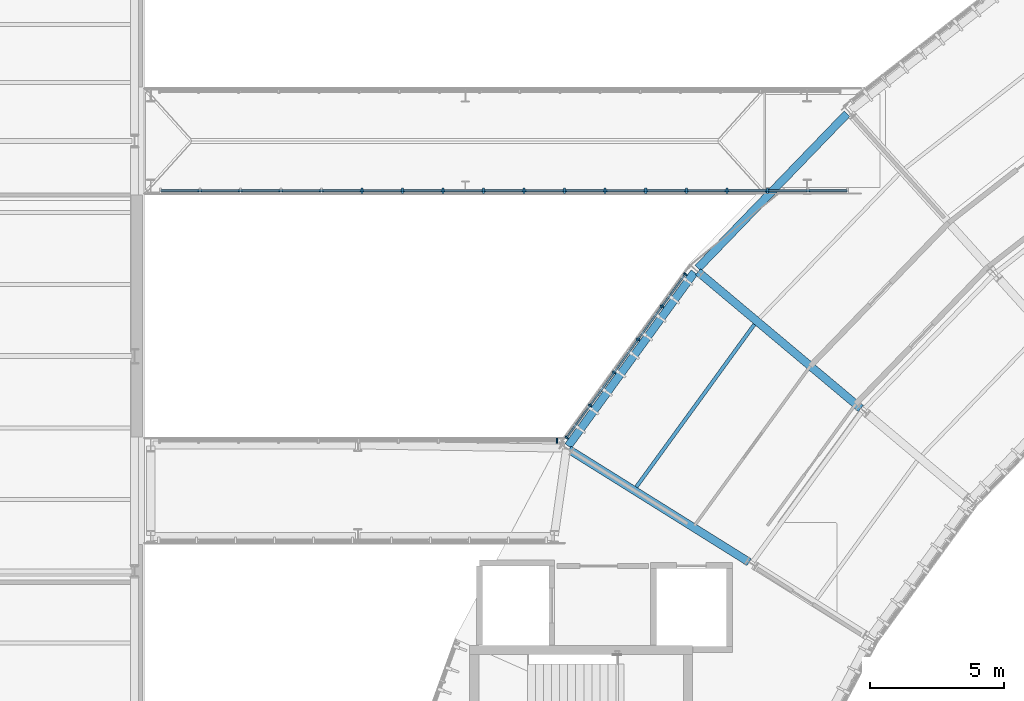
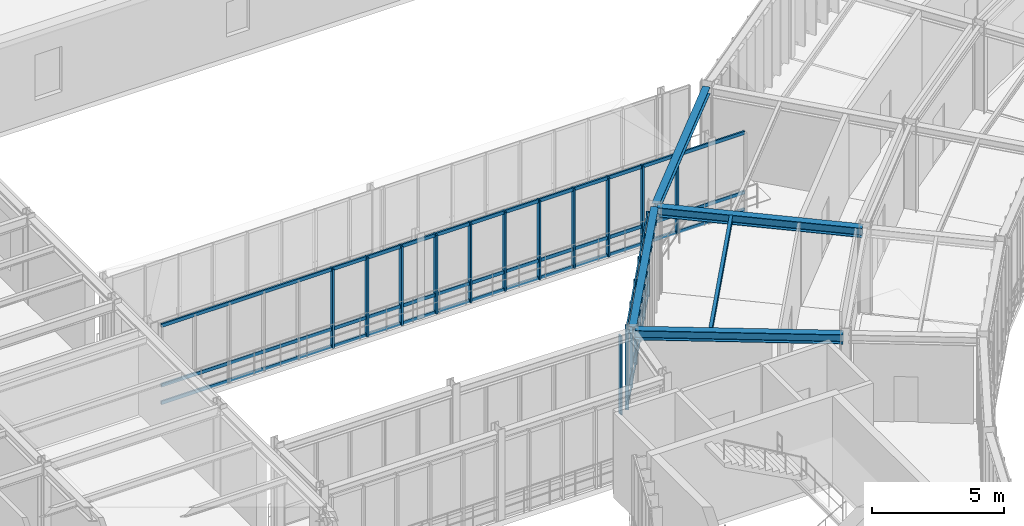
# One storey, part 16 of 57: 24 members, 5 beams, 3 elements without a shape of their own.
"""IFC4 building model written with IfcOpenShell, lengths in metres."""

import ifcopenshell
import ifcopenshell.guid

model = None  # the IFC model being written
_history = None  # IfcOwnerHistory: only IFC2X3 demands one
_inside = {}  # id of a spatial element -> (the spatial element, [elements in it])
_under = {}  # id of a project, library or spatial element -> (it, [spatial elements below it])
_declared = {}  # id of a project -> (the project, [libraries it declares])
_typed = {}  # id of a type object -> (the type object, [elements of that type])
_made_of = {}  # id of a material, layer set ... -> (it, [elements and type objects made of it])


def new_model(schema):
    """Start an empty IFC model of exactly this schema.

    Asked for "IFC4X3", IfcOpenShell would pick the latest addendum, in which some entities
    have other attributes; the version numbers below select the first issue.
    IFC2X3 requires an IfcOwnerHistory on every rooted entity: one is made here for all.
    """
    global model, _history
    if schema == "IFC4X3":
        model = ifcopenshell.file(schema_version=(4, 3, 0, 0))
    else:
        model = ifcopenshell.file(schema=schema)
    _inside.clear()
    _under.clear()
    _declared.clear()
    _typed.clear()
    _made_of.clear()
    _history = None
    if model.schema == "IFC2X3":
        org = make("IfcOrganization", Name="unknown")
        user = make(
            "IfcPersonAndOrganization",
            ThePerson=make("IfcPerson", FamilyName="unknown"),
            TheOrganization=org,
        )
        app = make(
            "IfcApplication",
            ApplicationDeveloper=org,
            Version="unknown",
            ApplicationFullName="unknown",
            ApplicationIdentifier="unknown",
        )
        _history = make(
            "IfcOwnerHistory",
            OwningUser=user,
            OwningApplication=app,
            ChangeAction="ADDED",
            CreationDate=0,
        )
    return model


def make(cls, **values):
    """One entity of the class cls with the attributes given. An attribute that is None is left unset."""
    return model.create_entity(
        cls, **{name: value for name, value in values.items() if value is not None}
    )


def rooted(cls, **values):
    """An entity with a GlobalId (a new one), such as an element, a storey or a relation."""
    return make(cls, GlobalId=ifcopenshell.guid.new(), OwnerHistory=_history, **values)


def si_unit(unit_type, name, prefix=None):
    """IfcSIUnit, for example si_unit("LENGTHUNIT", "METRE", prefix="MILLI")."""
    return make("IfcSIUnit", UnitType=unit_type, Prefix=prefix, Name=name)


def assignment(units):
    """IfcUnitAssignment: the units of a project."""
    return None if units is None else make("IfcUnitAssignment", Units=units)


def point(xyz):
    """IfcCartesianPoint."""
    return None if xyz is None else make("IfcCartesianPoint", Coordinates=xyz)


def direction(xyz):
    """IfcDirection."""
    return None if xyz is None else make("IfcDirection", DirectionRatios=xyz)


def frame(location, z_axis=None, x_axis=None):
    """IfcAxis2Placement3D, a coordinate frame: its origin and axes. An axis left out is left unset."""
    return make(
        "IfcAxis2Placement3D",
        Location=point(location),
        Axis=direction(z_axis),
        RefDirection=direction(x_axis),
    )


def frame_2d(location, x_axis=None):
    """IfcAxis2Placement2D, a coordinate frame in the plane: its origin and x axis."""
    return make(
        "IfcAxis2Placement2D", Location=point(location), RefDirection=direction(x_axis)
    )


def origin():
    """The frame at (0, 0, 0) with its axes left unset."""
    return frame((0.0, 0.0, 0.0))


def origin_2d():
    """The frame at (0, 0) in the plane with its x axis left unset."""
    return frame_2d((0.0, 0.0))


def place(relative_to, where):
    """IfcLocalPlacement: puts the frame where relative to a parent placement (None: the world)."""
    return make(
        "IfcLocalPlacement", PlacementRelTo=relative_to, RelativePlacement=where
    )


def context(
    kind, dimensions, precision=None, world=None, true_north=None, identifier=None
):
    """IfcGeometricRepresentationContext, for example the 3D "Model" context."""
    return make(
        "IfcGeometricRepresentationContext",
        ContextIdentifier=identifier,
        ContextType=kind,
        CoordinateSpaceDimension=dimensions,
        Precision=precision,
        WorldCoordinateSystem=world,
        TrueNorth=true_north,
    )


def subcontext(parent, identifier, kind, view, scale=None):
    """IfcGeometricRepresentationSubContext, for example "Body" below "Model"."""
    return make(
        "IfcGeometricRepresentationSubContext",
        ContextIdentifier=identifier,
        ContextType=kind,
        ParentContext=parent,
        TargetScale=scale,
        TargetView=view,
    )


def project(units=None, contexts=None):
    """IfcProject with its units and contexts."""
    return rooted(
        "IfcProject",
        Name="project",
        RepresentationContexts=contexts,
        UnitsInContext=assignment(units),
    )


def spatial(cls, under=None, at=None, **own):
    """A site, building, storey or space (cls), placed at a placement, below another one or the project."""
    s = rooted(cls, ObjectPlacement=at, **own)
    if under is not None:
        _under.setdefault(under.id(), (under, []))[1].append(s)
    return s


def profile(cls, at=None, kind="AREA", **sizes):
    """A parametric profile (cls). Its sizes go by their IFC names, for example OverallWidth=200.0."""
    return make(cls, ProfileType=kind, Position=at, **sizes)


def rectangle(**sizes):
    """IfcRectangleProfileDef."""
    return profile("IfcRectangleProfileDef", **sizes)


def i_section(**sizes):
    """IfcIShapeProfileDef."""
    return profile("IfcIShapeProfileDef", **sizes)


def extrude(swept, where, along, depth):
    """IfcExtrudedAreaSolid: the profile swept, set in the frame where, extruded along a direction by depth."""
    return make(
        "IfcExtrudedAreaSolid",
        SweptArea=swept,
        Position=where,
        ExtrudedDirection=direction(along),
        Depth=depth,
    )


def shape(context_of_items, identifier, shape_type, items):
    """IfcShapeRepresentation: the items that make up one representation, for example the "Body"."""
    return make(
        "IfcShapeRepresentation",
        ContextOfItems=context_of_items,
        RepresentationIdentifier=identifier,
        RepresentationType=shape_type,
        Items=items,
    )


def material(Name=None, Category=None):
    """IfcMaterial."""
    return make("IfcMaterial", Name=Name, Category=Category)


def layer(
    of_material, thickness, ventilated=None, Name=None, Category=None, Priority=None
):
    """IfcMaterialLayer: one layer of a wall or slab, of a material (None: an air gap)."""
    return make(
        "IfcMaterialLayer",
        Material=of_material,
        LayerThickness=thickness,
        IsVentilated=ventilated,
        Name=Name,
        Category=Category,
        Priority=Priority,
    )


def layer_set(layers, Name=None):
    """IfcMaterialLayerSet."""
    return make("IfcMaterialLayerSet", MaterialLayers=layers, LayerSetName=Name)


def material_profile(
    of_material, cross_section, Name=None, Category=None, Priority=None
):
    """IfcMaterialProfile: a cross section and its material."""
    return make(
        "IfcMaterialProfile",
        Name=Name,
        Material=of_material,
        Profile=cross_section,
        Priority=Priority,
        Category=Category,
    )


def profile_set(profiles, Name=None, composite=None):
    """IfcMaterialProfileSet."""
    return make(
        "IfcMaterialProfileSet",
        Name=Name,
        MaterialProfiles=profiles,
        CompositeProfile=composite,
    )


def made_of(thing, what):
    """Note that an element or type object is made of a material, layer set ...; save() writes the relation."""
    if what is not None:
        _made_of.setdefault(what.id(), (what, []))[1].append(thing)
    return thing


def type_object(cls, material=None, **own):
    """A type object (cls), such as IfcWallType, which elements share."""
    return made_of(rooted(cls, **own), material)


def element(
    cls,
    number,
    at=None,
    inside=None,
    cuts=None,
    type_object=None,
    material=None,
    context=None,
    identifier="Body",
    shape_type=None,
    held_by="IfcProductDefinitionShape",
    body=None,
    shapes=None,
    **own,
):
    """One element of the class cls, such as IfcWall. Its Tag is "e" and its number.

    at: its placement. inside: the storey or other place that contains it. cuts: it is an
    opening in that element (IfcRelVoidsElement). A single representation is given by context,
    identifier, shape_type and body (its items); several are given by shapes. held_by: the class
    of the entity that holds the representations. save() writes the other relations.
    """
    e = rooted(cls, Tag="e%d" % number, ObjectPlacement=at, **own)
    if body is not None:
        shapes = [shape(context, identifier, shape_type, body)]
    if shapes is not None:
        e.Representation = make(held_by, Representations=shapes)
    if inside is not None:
        _inside.setdefault(inside.id(), (inside, []))[1].append(e)
    if cuts is not None:
        rooted(
            "IfcRelVoidsElement", RelatingBuildingElement=cuts, RelatedOpeningElement=e
        )
    if type_object is not None:
        _typed.setdefault(type_object.id(), (type_object, []))[1].append(e)
    return made_of(e, material)


def aggregate(whole, parts):
    """IfcRelAggregates: a whole, such as a stair, and the parts it consists of."""
    return rooted("IfcRelAggregates", RelatingObject=whole, RelatedObjects=parts)


def save(model, path):
    """Write the relations noted so far, then the file.

    IfcRelAggregates (storeys below a building ...), IfcRelContainedInSpatialStructure (elements
    in a storey), IfcRelDefinesByType, IfcRelAssociatesMaterial and IfcRelDeclares: one each for
    every whole, place, type object, material and project.
    """
    for whole, parts in _under.values():
        aggregate(whole, parts)
    for where, things in _inside.values():
        rooted(
            "IfcRelContainedInSpatialStructure",
            RelatedElements=things,
            RelatingStructure=where,
        )
    for kind, things in _typed.values():
        rooted("IfcRelDefinesByType", RelatedObjects=things, RelatingType=kind)
    for what, things in _made_of.values():
        rooted("IfcRelAssociatesMaterial", RelatedObjects=things, RelatingMaterial=what)
    for by, libraries in _declared.values():
        rooted("IfcRelDeclares", RelatingContext=by, RelatedDefinitions=libraries)
    model.write(path)


model = new_model("IFC4")

# Units and contexts
model_context = context("Model", 3, precision=1e-05, world=origin(), true_north=direction((0.0, 1.0)))
body_context = subcontext(model_context, "Body", "Model", "MODEL_VIEW")
ifc_project = project(units=[si_unit("LENGTHUNIT", "METRE"), si_unit("AREAUNIT", "SQUARE_METRE"), si_unit("VOLUMEUNIT", "CUBIC_METRE"), si_unit("PLANEANGLEUNIT", "RADIAN"), si_unit("MASSUNIT", "GRAM", prefix="KILO"), si_unit("THERMODYNAMICTEMPERATUREUNIT", "KELVIN"), si_unit("POWERUNIT", "WATT")], contexts=[model_context])

# Site, building, storey
site_placement = place(None, origin())
site = spatial("IfcSite", under=ifc_project, at=site_placement, CompositionType="ELEMENT")
building_placement = place(site_placement, origin())
building = spatial("IfcBuilding", under=site, at=building_placement, Name="Solvatero Civic Police Headquarters", CompositionType="ELEMENT")
storey_placement = place(building_placement, frame((0.0, 0.0, 9.300048828125)))
storey = spatial("IfcBuildingStorey", under=building, at=storey_placement, Name="L02", CompositionType="ELEMENT", Elevation=9.300048828125)

# Beams
ifc_material_1 = material(Name="Steel S355", Category="steel")
ifc_material_profile_1 = material_profile(ifc_material_1, i_section(OverallWidth=0.300048828125, OverallDepth=0.31005859375, WebThickness=0.009033203125, FlangeThickness=0.015380859375, FilletRadius=0.027099609375, at=origin_2d()), Name="HEA 320")
ifc_profile_set_1 = profile_set([ifc_material_profile_1], Name="Steel S355")
beam_type_1 = type_object("IfcBeamType", Name="BM-ST-HEA320", PredefinedType="SPANDREL", material=ifc_profile_set_1)
beam_1_placement = place(storey_placement, frame((54.68603515625, 69.513427734375, 3.844970703125), z_axis=(-0.694657827695, -0.719340324479, 0.0), x_axis=(0.719340324479, -0.694657827695, 0.0)))
element("IfcBeam", 1, at=beam_1_placement, inside=storey, type_object=beam_type_1, Name="Perimeter / radial spandrel beam BM-R2-L02-ARC-COUT-B07", PredefinedType="SPANDREL", context=body_context, shape_type="SweptSolid", body=[
    extrude(i_section(OverallWidth=0.300048828125, OverallDepth=0.31005859375, WebThickness=0.009033203125, FlangeThickness=0.015380859375, FilletRadius=0.027099609375, at=origin_2d()), origin(), (0.0, 0.0, 1.0), 7.982177734375),
])
beam_2_placement = place(storey_placement, frame((49.0126953125, 63.61865234375, 3.844970703125), z_axis=(-0.587775184232, -0.809024309153, 0.0), x_axis=(0.809024309153, -0.587775184232, 0.0)))
element("IfcBeam", 2, at=beam_2_placement, inside=storey, type_object=beam_type_1, Name="Perimeter / radial spandrel beam BM-R2-L02-ARC-COUT-B08", PredefinedType="SPANDREL", context=body_context, shape_type="SweptSolid", body=[
    extrude(i_section(OverallWidth=0.300048828125, OverallDepth=0.31005859375, WebThickness=0.009033203125, FlangeThickness=0.015380859375, FilletRadius=0.027099609375, at=origin_2d()), origin(), (0.0, 0.0, 1.0), 7.982421875),
])
ifc_material_profile_2 = material_profile(ifc_material_1, i_section(OverallWidth=0.300048828125, OverallDepth=0.43994140625, WebThickness=0.011474609375, FlangeThickness=0.02099609375, FilletRadius=0.027099609375, at=origin_2d()), Name="HEA 450")
ifc_profile_set_2 = profile_set([ifc_material_profile_2], Name="Steel S355")
beam_type_2 = type_object("IfcBeamType", Name="BM-ST-HEA450", PredefinedType="BEAM", material=ifc_profile_set_2)
for number, where, z_axis, x_axis, name in (
    (3, (55.199951171875, 58.55712890625, 3.780029296875), (-0.766038381489, 0.642794833587, 0.0), (-0.642794833587, -0.766038381489, 0.0), "Primary girder BM-R2-L02-ARC-RAD2-S07"),
    (4, (51.04638671875, 52.84033203125, 3.780029296875), (-0.848043440319, 0.529926715057, 0.0), (-0.529926715057, -0.848043440319, 0.0), "Primary girder BM-R2-L02-ARC-RAD2-S08"),
):
    element("IfcBeam", number, at=place(storey_placement, frame(where, z_axis=z_axis, x_axis=x_axis)), inside=storey, type_object=beam_type_2, Name=name, PredefinedType="BEAM", context=body_context, shape_type="SweptSolid", body=[
        extrude(i_section(OverallWidth=0.300048828125, OverallDepth=0.43994140625, WebThickness=0.011474609375, FlangeThickness=0.02099609375, FilletRadius=0.027099609375, at=origin_2d()), origin(), (0.0, 0.0, 1.0), 7.900146484375),
    ])
ifc_material_profile_3 = material_profile(ifc_material_1, i_section(OverallWidth=0.135009765625, OverallDepth=0.27001953125, WebThickness=0.006591796875, FlangeThickness=0.01025390625, FilletRadius=0.014892578125, at=origin_2d()), Name="IPE 270")
ifc_profile_set_3 = profile_set([ifc_material_profile_3], Name="Steel S355")
beam_type_3 = type_object("IfcBeamType", Name="BM-ST-IPE270", PredefinedType="BEAM", material=ifc_profile_set_3)
beam_3_placement = place(storey_placement, frame((51.2431640625, 61.681884765625, 3.864990234375), z_axis=(-0.587800506185, -0.809005911554, 0.0), x_axis=(0.809005911554, -0.587800506185, 0.0)))
element("IfcBeam", 5, at=beam_3_placement, inside=storey, type_object=beam_type_3, Name="Composite floor beam BM-R2-L02-ARC-CS2-B08", PredefinedType="BEAM", context=body_context, shape_type="SweptSolid", body=[
    extrude(i_section(OverallWidth=0.135009765625, OverallDepth=0.27001953125, WebThickness=0.006591796875, FlangeThickness=0.01025390625, FilletRadius=0.014892578125, at=origin_2d()), origin(), (0.0, 0.0, 1.0), 7.470947265625),
])

# Curtain wall, members
ifc_material_2 = material(Name="Anodized Bronze Aluminium", Category="aluminium")
ifc_layer_1 = layer(ifc_material_2, 0.179931640625)
ifc_layer_set_1 = layer_set([ifc_layer_1], Name="Anodized Bronze Aluminium")
curtain_wall_type_1 = type_object("IfcCurtainWallType", Name="CW-ARC-OUT", PredefinedType="USERDEFINED", material=ifc_layer_set_1)
curtain_wall_1_placement = place(storey_placement, origin())
curtain_wall_1 = element("IfcCurtainWall", 6, at=curtain_wall_1_placement, inside=storey, type_object=curtain_wall_type_1, Name="Curtain Wall CW-R2-L02-ARC-OUT-B08", ObjectType="UNITISED", PredefinedType="USERDEFINED")
ifc_material_profile_4 = material_profile(ifc_material_2, rectangle(XDim=0.06005859375, YDim=0.139892578125, at=origin_2d()), Name="ALU MULLION 60x140")
ifc_profile_set_4 = profile_set([ifc_material_profile_4], Name="Anodized Bronze Aluminium")
member_type_1 = type_object("IfcMemberType", Name="CWM-160x65", PredefinedType="MULLION", material=ifc_profile_set_4)
member_1_placement = place(storey_placement, frame((48.67724609375, 63.547119140625, 0.0), z_axis=(0.0, 0.0, 1.0), x_axis=(-0.587771132193, -0.80902725304, 0.0)))
member_1 = element("IfcMember", 7, at=member_1_placement, type_object=member_type_1, Name="CW-R2-L02-ARC-OUT-B08 Mullion 1", PredefinedType="MULLION", context=body_context, shape_type="SweptSolid", body=[
    extrude(rectangle(XDim=0.06005859375, YDim=0.139892578125, at=origin_2d()), origin(), (0.0, 0.0, 1.0), 3.93994140625),
])
member_2_placement = place(storey_placement, frame((47.80859375, 62.351806640625, 0.0), z_axis=(0.0, 0.0, 1.0), x_axis=(-0.587771132193, -0.80902725304, 0.0)))
member_2 = element("IfcMember", 8, at=member_2_placement, type_object=member_type_1, Name="CW-R2-L02-ARC-OUT-B08 Mullion 2", PredefinedType="MULLION", context=body_context, shape_type="SweptSolid", body=[
    extrude(rectangle(XDim=0.06005859375, YDim=0.139892578125, at=origin_2d()), origin(), (0.0, 0.0, 1.0), 3.93994140625),
])
member_3_placement = place(storey_placement, frame((46.91650390625, 61.123779296875, 0.0), z_axis=(0.0, 0.0, 1.0), x_axis=(-0.587771132193, -0.80902725304, 0.0)))
member_3 = element("IfcMember", 9, at=member_3_placement, type_object=member_type_1, Name="CW-R2-L02-ARC-OUT-B08 Mullion 3", PredefinedType="MULLION", context=body_context, shape_type="SweptSolid", body=[
    extrude(rectangle(XDim=0.06005859375, YDim=0.139892578125, at=origin_2d()), origin(), (0.0, 0.0, 1.0), 3.93994140625),
])
member_4_placement = place(storey_placement, frame((46.0244140625, 59.89599609375, 0.0), z_axis=(0.0, 0.0, 1.0), x_axis=(-0.587771132193, -0.80902725304, 0.0)))
member_4 = element("IfcMember", 10, at=member_4_placement, type_object=member_type_1, Name="CW-R2-L02-ARC-OUT-B08 Mullion 4", PredefinedType="MULLION", context=body_context, shape_type="SweptSolid", body=[
    extrude(rectangle(XDim=0.06005859375, YDim=0.139892578125, at=origin_2d()), origin(), (0.0, 0.0, 1.0), 3.93994140625),
])
member_5_placement = place(storey_placement, frame((45.13232421875, 58.668212890625, 0.0), z_axis=(0.0, 0.0, 1.0), x_axis=(-0.587771132193, -0.80902725304, 0.0)))
member_5 = element("IfcMember", 11, at=member_5_placement, type_object=member_type_1, Name="CW-R2-L02-ARC-OUT-B08 Mullion 5", PredefinedType="MULLION", context=body_context, shape_type="SweptSolid", body=[
    extrude(rectangle(XDim=0.06005859375, YDim=0.139892578125, at=origin_2d()), origin(), (0.0, 0.0, 1.0), 3.93994140625),
])
member_6_placement = place(storey_placement, frame((44.263916015625, 57.47265625, 0.0), z_axis=(0.0, 0.0, 1.0), x_axis=(-0.587771132193, -0.80902725304, 0.0)))
member_6 = element("IfcMember", 12, at=member_6_placement, type_object=member_type_1, Name="CW-R2-L02-ARC-OUT-B08 Mullion 6", PredefinedType="MULLION", context=body_context, shape_type="SweptSolid", body=[
    extrude(rectangle(XDim=0.06005859375, YDim=0.139892578125, at=origin_2d()), origin(), (0.0, 0.0, 1.0), 3.93994140625),
])

# Curtain wall, member
ifc_layer_2 = layer(ifc_material_2, 0.179931640625)
ifc_layer_set_2 = layer_set([ifc_layer_2], Name="Anodized Bronze Aluminium")
curtain_wall_type_2 = type_object("IfcCurtainWallType", Name="CW-SB-GLZ", PredefinedType="USERDEFINED", material=ifc_layer_set_2)
curtain_wall_2_placement = place(storey_placement, origin())
curtain_wall_2 = element("IfcCurtainWall", 13, at=curtain_wall_2_placement, inside=storey, type_object=curtain_wall_type_2, Name="Curtain Wall CW-R2-L02-SB1-N", ObjectType="UNITISED", PredefinedType="USERDEFINED")
ifc_material_profile_5 = material_profile(ifc_material_2, rectangle(XDim=0.06494140625, YDim=0.179931640625, at=origin_2d()), Name="ALU MULLION 65x180")
ifc_profile_set_5 = profile_set([ifc_material_profile_5], Name="Anodized Bronze Aluminium")
member_type_2 = type_object("IfcMemberType", Name="CWM-200x75", PredefinedType="MULLION", material=ifc_profile_set_5)
member_7_placement = place(storey_placement, frame((43.89990234375, 57.35009765625, 0.0), z_axis=(0.0, 0.0, 1.0), x_axis=(1.0, 0.0, 0.0)))
member_7 = element("IfcMember", 14, at=member_7_placement, type_object=member_type_2, Name="CW-R2-L02-SB1-N Mullion 11", PredefinedType="MULLION", context=body_context, shape_type="SweptSolid", body=[
    extrude(rectangle(XDim=0.06494140625, YDim=0.179931640625, at=origin_2d()), origin(), (0.0, 0.0, 1.0), 3.64990234375),
])
aggregate(curtain_wall_2, [member_7])

# Curtain wall, members
curtain_wall_3_placement = place(storey_placement, origin())
curtain_wall_3 = element("IfcCurtainWall", 15, at=curtain_wall_3_placement, inside=storey, type_object=curtain_wall_type_2, Name="Curtain Wall CW-R2-L02-SB2-S", ObjectType="UNITISED", PredefinedType="USERDEFINED")
ifc_material_profile_6 = material_profile(ifc_material_2, rectangle(XDim=0.074951171875, YDim=0.219970703125, at=origin_2d()), Name="ALU MULLION 75x220")
ifc_profile_set_6 = profile_set([ifc_material_profile_6], Name="Anodized Bronze Aluminium")
member_type_3 = type_object("IfcMemberType", Name="CWM-250x85", PredefinedType="MULLION", material=ifc_profile_set_6)
member_8_placement = place(storey_placement, frame((36.65185546875, 66.64990234375, 0.0), z_axis=(0.0, 0.0, 1.0), x_axis=(1.0, 0.0, 0.0)))
member_8 = element("IfcMember", 16, at=member_8_placement, type_object=member_type_3, Name="CW-R2-L02-SB2-S Mullion 6", PredefinedType="MULLION", context=body_context, shape_type="SweptSolid", body=[
    extrude(rectangle(XDim=0.074951171875, YDim=0.219970703125, at=origin_2d()), origin(), (0.0, 0.0, 1.0), 3.64990234375),
])
member_9_placement = place(storey_placement, frame((38.1591796875, 66.64990234375, 0.0), z_axis=(0.0, 0.0, 1.0), x_axis=(1.0, 0.0, 0.0)))
member_9 = element("IfcMember", 17, at=member_9_placement, type_object=member_type_3, Name="CW-R2-L02-SB2-S Mullion 7", PredefinedType="MULLION", context=body_context, shape_type="SweptSolid", body=[
    extrude(rectangle(XDim=0.074951171875, YDim=0.219970703125, at=origin_2d()), origin(), (0.0, 0.0, 1.0), 3.64990234375),
])
member_10_placement = place(storey_placement, frame((39.66650390625, 66.64990234375, 0.0), z_axis=(0.0, 0.0, 1.0), x_axis=(1.0, 0.0, 0.0)))
member_10 = element("IfcMember", 18, at=member_10_placement, type_object=member_type_3, Name="CW-R2-L02-SB2-S Mullion 8", PredefinedType="MULLION", context=body_context, shape_type="SweptSolid", body=[
    extrude(rectangle(XDim=0.074951171875, YDim=0.219970703125, at=origin_2d()), origin(), (0.0, 0.0, 1.0), 3.64990234375),
])
member_11_placement = place(storey_placement, frame((41.173828125, 66.64990234375, 0.0), z_axis=(0.0, 0.0, 1.0), x_axis=(1.0, 0.0, 0.0)))
member_11 = element("IfcMember", 19, at=member_11_placement, type_object=member_type_3, Name="CW-R2-L02-SB2-S Mullion 9", PredefinedType="MULLION", context=body_context, shape_type="SweptSolid", body=[
    extrude(rectangle(XDim=0.074951171875, YDim=0.219970703125, at=origin_2d()), origin(), (0.0, 0.0, 1.0), 3.64990234375),
])
member_12_placement = place(storey_placement, frame((42.68115234375, 66.64990234375, 0.0), z_axis=(0.0, 0.0, 1.0), x_axis=(1.0, 0.0, 0.0)))
member_12 = element("IfcMember", 20, at=member_12_placement, type_object=member_type_3, Name="CW-R2-L02-SB2-S Mullion 10", PredefinedType="MULLION", context=body_context, shape_type="SweptSolid", body=[
    extrude(rectangle(XDim=0.074951171875, YDim=0.219970703125, at=origin_2d()), origin(), (0.0, 0.0, 1.0), 3.64990234375),
])
member_13_placement = place(storey_placement, frame((44.1884765625, 66.64990234375, 0.0), z_axis=(0.0, 0.0, 1.0), x_axis=(1.0, 0.0, 0.0)))
member_13 = element("IfcMember", 21, at=member_13_placement, type_object=member_type_3, Name="CW-R2-L02-SB2-S Mullion 11", PredefinedType="MULLION", context=body_context, shape_type="SweptSolid", body=[
    extrude(rectangle(XDim=0.074951171875, YDim=0.219970703125, at=origin_2d()), origin(), (0.0, 0.0, 1.0), 3.64990234375),
])
member_14_placement = place(storey_placement, frame((45.69580078125, 66.64990234375, 0.0), z_axis=(0.0, 0.0, 1.0), x_axis=(1.0, 0.0, 0.0)))
member_14 = element("IfcMember", 22, at=member_14_placement, type_object=member_type_3, Name="CW-R2-L02-SB2-S Mullion 12", PredefinedType="MULLION", context=body_context, shape_type="SweptSolid", body=[
    extrude(rectangle(XDim=0.074951171875, YDim=0.219970703125, at=origin_2d()), origin(), (0.0, 0.0, 1.0), 3.64990234375),
])
member_15_placement = place(storey_placement, frame((47.203125, 66.64990234375, 0.0), z_axis=(0.0, 0.0, 1.0), x_axis=(1.0, 0.0, 0.0)))
member_15 = element("IfcMember", 23, at=member_15_placement, type_object=member_type_3, Name="CW-R2-L02-SB2-S Mullion 13", PredefinedType="MULLION", context=body_context, shape_type="SweptSolid", body=[
    extrude(rectangle(XDim=0.074951171875, YDim=0.219970703125, at=origin_2d()), origin(), (0.0, 0.0, 1.0), 3.64990234375),
])
member_16_placement = place(storey_placement, frame((48.710693359375, 66.64990234375, 0.0), z_axis=(0.0, 0.0, 1.0), x_axis=(1.0, 0.0, 0.0)))
member_16 = element("IfcMember", 24, at=member_16_placement, type_object=member_type_3, Name="CW-R2-L02-SB2-S Mullion 14", PredefinedType="MULLION", context=body_context, shape_type="SweptSolid", body=[
    extrude(rectangle(XDim=0.074951171875, YDim=0.219970703125, at=origin_2d()), origin(), (0.0, 0.0, 1.0), 3.64990234375),
])
member_17_placement = place(storey_placement, frame((50.218017578125, 66.64990234375, 0.0), z_axis=(0.0, 0.0, 1.0), x_axis=(1.0, 0.0, 0.0)))
member_17 = element("IfcMember", 25, at=member_17_placement, type_object=member_type_3, Name="CW-R2-L02-SB2-S Mullion 15", PredefinedType="MULLION", context=body_context, shape_type="SweptSolid", body=[
    extrude(rectangle(XDim=0.074951171875, YDim=0.219970703125, at=origin_2d()), origin(), (0.0, 0.0, 1.0), 3.64990234375),
])
member_18_placement = place(storey_placement, frame((51.725341796875, 66.64990234375, 0.0), z_axis=(0.0, 0.0, 1.0), x_axis=(1.0, 0.0, 0.0)))
member_18 = element("IfcMember", 26, at=member_18_placement, type_object=member_type_3, Name="CW-R2-L02-SB2-S Mullion 16", PredefinedType="MULLION", context=body_context, shape_type="SweptSolid", body=[
    extrude(rectangle(XDim=0.074951171875, YDim=0.219970703125, at=origin_2d()), origin(), (0.0, 0.0, 1.0), 3.64990234375),
])
ifc_material_profile_7 = material_profile(ifc_material_2, rectangle(XDim=0.070068359375, YDim=0.159912109375, at=origin_2d()), Name="ALU TRANSOM 70x160")
ifc_profile_set_7 = profile_set([ifc_material_profile_7], Name="Anodized Bronze Aluminium")
member_type_4 = type_object("IfcMemberType", Name="CWT-120x55", PredefinedType="USERDEFINED", material=ifc_profile_set_7)
member_19_placement = place(storey_placement, frame((29.1650390625, 66.64990234375, 0.0400390625), z_axis=(1.0, 0.0, 0.0), x_axis=(0.0, 1.0, 0.0)))
member_19 = element("IfcMember", 27, at=member_19_placement, type_object=member_type_4, Name="CW-R2-L02-SB2-S Transom 1", ObjectType="TRANSOM", PredefinedType="USERDEFINED", context=body_context, shape_type="SweptSolid", body=[
    extrude(rectangle(XDim=0.070068359375, YDim=0.159912109375, at=origin_2d()), origin(), (0.0, 0.0, 1.0), 25.52490234375),
])
member_20_placement = place(storey_placement, frame((29.1650390625, 66.64990234375, 0.849853515625), z_axis=(1.0, 0.0, 0.0), x_axis=(0.0, 1.0, 0.0)))
member_20 = element("IfcMember", 28, at=member_20_placement, type_object=member_type_4, Name="CW-R2-L02-SB2-S Transom 2", ObjectType="TRANSOM", PredefinedType="USERDEFINED", context=body_context, shape_type="SweptSolid", body=[
    extrude(rectangle(XDim=0.070068359375, YDim=0.159912109375, at=origin_2d()), origin(), (0.0, 0.0, 1.0), 25.52490234375),
])
member_21_placement = place(storey_placement, frame((29.1650390625, 66.64990234375, 3.60986328125), z_axis=(1.0, 0.0, 0.0), x_axis=(0.0, 1.0, 0.0)))
member_21 = element("IfcMember", 29, at=member_21_placement, type_object=member_type_4, Name="CW-R2-L02-SB2-S Transom 3", ObjectType="TRANSOM", PredefinedType="USERDEFINED", context=body_context, shape_type="SweptSolid", body=[
    extrude(rectangle(XDim=0.070068359375, YDim=0.159912109375, at=origin_2d()), origin(), (0.0, 0.0, 1.0), 25.52490234375),
])
aggregate(curtain_wall_3, [member_8, member_9, member_10, member_11, member_12, member_13, member_14, member_15, member_16, member_17, member_18, member_19, member_20, member_21])

# Member
ifc_material_profile_8 = material_profile(ifc_material_2, rectangle(XDim=0.06005859375, YDim=0.125, at=origin_2d()), Name="ALU TRANSOM 60x125")
ifc_profile_set_8 = profile_set([ifc_material_profile_8], Name="Anodized Bronze Aluminium")
member_type_5 = type_object("IfcMemberType", Name="CWT-160x65", PredefinedType="USERDEFINED", material=ifc_profile_set_8)
member_22_placement = place(storey_placement, frame((48.67138671875, 63.5390625, 0.0400390625), z_axis=(-0.587781991102, -0.809019363758, 0.0), x_axis=(0.809019363758, -0.587781991102, 0.0)))
member_22 = element("IfcMember", 30, at=member_22_placement, type_object=member_type_5, Name="CW-R2-L02-ARC-OUT-B08 Transom 1", ObjectType="TRANSOM", PredefinedType="USERDEFINED", context=body_context, shape_type="SweptSolid", body=[
    extrude(rectangle(XDim=0.06005859375, YDim=0.125, at=origin_2d()), origin(), (0.0, 0.0, 1.0), 7.488525390625),
])

member_23_placement = place(storey_placement, frame((48.67138671875, 63.5390625, 0.849853515625), z_axis=(-0.587781991102, -0.809019363758, 0.0), x_axis=(0.809019363758, -0.587781991102, 0.0)))
member_23 = element("IfcMember", 31, at=member_23_placement, type_object=member_type_5, Name="CW-R2-L02-ARC-OUT-B08 Transom 2", ObjectType="TRANSOM", PredefinedType="USERDEFINED", context=body_context, shape_type="SweptSolid", body=[
    extrude(rectangle(XDim=0.06005859375, YDim=0.125, at=origin_2d()), origin(), (0.0, 0.0, 1.0), 7.488525390625),
])

member_24_placement = place(storey_placement, frame((48.67138671875, 63.5390625, 3.89990234375), z_axis=(-0.587781991102, -0.809019363758, 0.0), x_axis=(0.809019363758, -0.587781991102, 0.0)))
member_24 = element("IfcMember", 32, at=member_24_placement, type_object=member_type_5, Name="CW-R2-L02-ARC-OUT-B08 Transom 3", ObjectType="TRANSOM", PredefinedType="USERDEFINED", context=body_context, shape_type="SweptSolid", body=[
    extrude(rectangle(XDim=0.06005859375, YDim=0.125, at=origin_2d()), origin(), (0.0, 0.0, 1.0), 7.488525390625),
])

aggregate(curtain_wall_1, [member_1, member_2, member_3, member_4, member_5, member_6, member_22, member_23, member_24])

save(model, "model.ifc")
